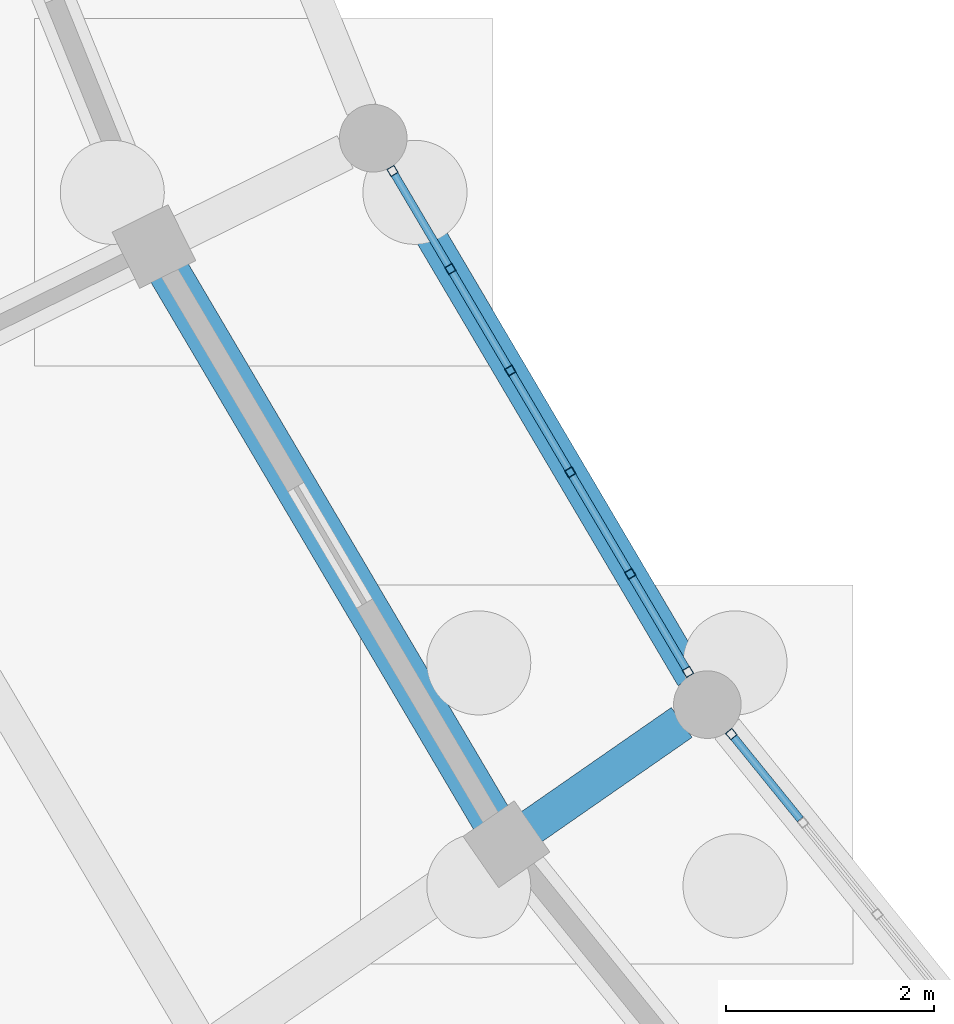
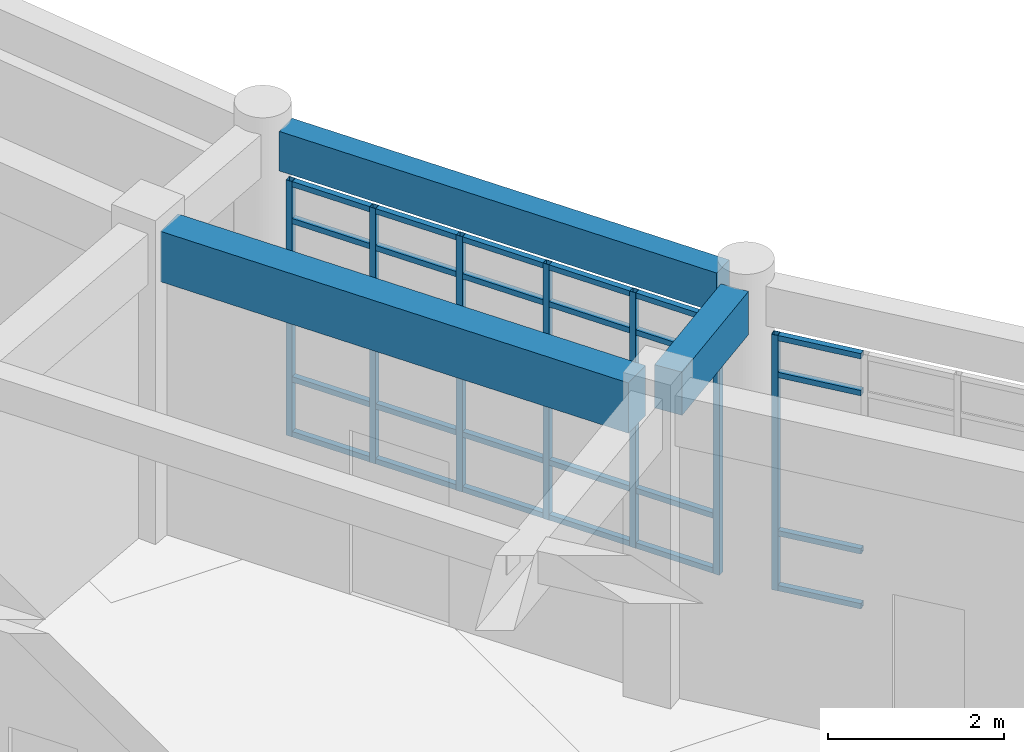
# One storey, part 32 of 153: 31 members, 3 beams, 2 elements without a shape of their own.
"""IFC4 building model written with IfcOpenShell, lengths in metres."""

from ifc_helpers import new_model, si_unit, direction, frame, origin, origin_2d, place, context, subcontext, project, spatial, rectangle, hollow_rectangle, extrude, material, material_profile, profile_set, type_object, element, aggregate, save


model = new_model("IFC4")

# Units and contexts
model_context = context("Model", 3, precision=1e-05, world=origin(), true_north=direction((0.0, 1.0)))
body_context = subcontext(model_context, "Body", "Model", "MODEL_VIEW")
ifc_project = project(units=[si_unit("LENGTHUNIT", "METRE"), si_unit("AREAUNIT", "SQUARE_METRE"), si_unit("VOLUMEUNIT", "CUBIC_METRE"), si_unit("PLANEANGLEUNIT", "RADIAN"), si_unit("MASSUNIT", "GRAM", prefix="KILO")], contexts=[model_context])

# Site, building, storey
site_placement = place(None, origin())
site = spatial("IfcSite", under=ifc_project, at=site_placement, CompositionType="ELEMENT")
building_placement = place(site_placement, origin())
building = spatial("IfcBuilding", under=site, at=building_placement, Name="Celadon Cloister-Ring School", CompositionType="ELEMENT")
storey_placement = place(building_placement, origin())
storey = spatial("IfcBuildingStorey", under=building, at=storey_placement, Name="L00", CompositionType="ELEMENT", Elevation=0.0)

# Beam
ifc_material_1 = material(Name="Concrete C35/45", Category="concrete")
ifc_material_profile_1 = material_profile(ifc_material_1, rectangle(XDim=0.35009765625, YDim=0.60009765625, at=origin_2d()), Name="RC350X600")
ifc_profile_set_1 = profile_set([ifc_material_profile_1], Name="Concrete C35/45")
beam_type_1 = type_object("IfcBeamType", Name="BT-02", PredefinedType="BEAM", material=ifc_profile_set_1)
beam_1_placement = place(storey_placement, frame((50.263916015625, 33.489990234375, 3.97998046875), z_axis=(0.821255410726, 0.570560733273, 0.0), x_axis=(-0.570560733273, 0.821255410726, 0.0)))
element("IfcBeam", 1, at=beam_1_placement, inside=storey, type_object=beam_type_1, Name="Beam 0023", PredefinedType="BEAM", context=body_context, shape_type="SweptSolid", body=[
    extrude(rectangle(XDim=0.35009765625, YDim=0.60009765625, at=origin_2d()), origin(), (0.0, 0.0, 1.0), 1.775390625),
])

# Curtain wall, members
ifc_material_2 = material(Name="Aluminium EN AW-6063 T6", Category="aluminium")
curtain_wall_type = type_object("IfcCurtainWallType", Name="CW-01", PredefinedType="USERDEFINED", material=ifc_material_2)
curtain_wall_1_placement = place(storey_placement, origin())
curtain_wall_1 = element("IfcCurtainWall", 2, at=curtain_wall_1_placement, inside=storey, type_object=curtain_wall_type, Name="Curtain Wall 0006", ObjectType="CURTAIN WALL", PredefinedType="USERDEFINED")
ifc_material_3 = material(Name="Aluminium EN AW-6063 T6", Category="aluminium")
ifc_material_profile_2 = material_profile(ifc_material_3, hollow_rectangle(XDim=0.080078125, YDim=0.080078125, WallThickness=0.00390625, at=origin_2d()), Name="RHS80X80X4")
ifc_profile_set_2 = profile_set([ifc_material_profile_2], Name="Aluminium EN AW-6063 T6")
member_type_1 = type_object("IfcMemberType", Name="CM-03", PredefinedType="MULLION", material=ifc_profile_set_2)
member_1_placement = place(storey_placement, frame((48.943359375, 39.801513671875, 0.0), z_axis=(0.0, 0.0, 1.0), x_axis=(0.861298596788, 0.508099131243, 0.0)))
member_1 = element("IfcMember", 3, at=member_1_placement, type_object=member_type_1, Name="CW-01 mullion 1", PredefinedType="MULLION", context=body_context, shape_type="SweptSolid", body=[
    extrude(hollow_rectangle(XDim=0.080078125, YDim=0.080078125, WallThickness=0.00390625, at=origin_2d()), origin(), (0.0, 0.0, 1.0), 3.550048828125),
])
member_2_placement = place(storey_placement, frame((49.4990234375, 38.859619140625, 0.0), z_axis=(0.0, 0.0, 1.0), x_axis=(0.861298596788, 0.508099131243, 0.0)))
member_2 = element("IfcMember", 4, at=member_2_placement, type_object=member_type_1, Name="CW-01 mullion 2", PredefinedType="MULLION", context=body_context, shape_type="SweptSolid", body=[
    extrude(hollow_rectangle(XDim=0.080078125, YDim=0.080078125, WallThickness=0.00390625, at=origin_2d()), origin(), (0.0, 0.0, 1.0), 3.550048828125),
])
member_3_placement = place(storey_placement, frame((50.074951171875, 37.88330078125, 0.0), z_axis=(0.0, 0.0, 1.0), x_axis=(0.861298596788, 0.508099131243, 0.0)))
member_3 = element("IfcMember", 5, at=member_3_placement, type_object=member_type_1, Name="CW-01 mullion 3", PredefinedType="MULLION", context=body_context, shape_type="SweptSolid", body=[
    extrude(hollow_rectangle(XDim=0.080078125, YDim=0.080078125, WallThickness=0.00390625, at=origin_2d()), origin(), (0.0, 0.0, 1.0), 3.550048828125),
])
member_4_placement = place(storey_placement, frame((50.65087890625, 36.90673828125, 0.0), z_axis=(0.0, 0.0, 1.0), x_axis=(0.861298596788, 0.508099131243, 0.0)))
member_4 = element("IfcMember", 6, at=member_4_placement, type_object=member_type_1, Name="CW-01 mullion 4", PredefinedType="MULLION", context=body_context, shape_type="SweptSolid", body=[
    extrude(hollow_rectangle(XDim=0.080078125, YDim=0.080078125, WallThickness=0.00390625, at=origin_2d()), origin(), (0.0, 0.0, 1.0), 3.550048828125),
])
member_5_placement = place(storey_placement, frame((51.22705078125, 35.930419921875, 0.0), z_axis=(0.0, 0.0, 1.0), x_axis=(0.861298596788, 0.508099131243, 0.0)))
member_5 = element("IfcMember", 7, at=member_5_placement, type_object=member_type_1, Name="CW-01 mullion 5", PredefinedType="MULLION", context=body_context, shape_type="SweptSolid", body=[
    extrude(hollow_rectangle(XDim=0.080078125, YDim=0.080078125, WallThickness=0.00390625, at=origin_2d()), origin(), (0.0, 0.0, 1.0), 3.550048828125),
])
member_6_placement = place(storey_placement, frame((51.78271484375, 34.988525390625, 0.0), z_axis=(0.0, 0.0, 1.0), x_axis=(0.861298596788, 0.508099131243, 0.0)))
member_6 = element("IfcMember", 8, at=member_6_placement, type_object=member_type_1, Name="CW-01 mullion 6", PredefinedType="MULLION", context=body_context, shape_type="SweptSolid", body=[
    extrude(hollow_rectangle(XDim=0.080078125, YDim=0.080078125, WallThickness=0.00390625, at=origin_2d()), origin(), (0.0, 0.0, 1.0), 3.550048828125),
])

# Curtain wall, member
curtain_wall_2_placement = place(storey_placement, origin())
curtain_wall_2 = element("IfcCurtainWall", 9, at=curtain_wall_2_placement, inside=storey, type_object=curtain_wall_type, Name="Curtain Wall 0007", ObjectType="CURTAIN WALL", PredefinedType="USERDEFINED")
member_7_placement = place(storey_placement, frame((52.1982421875, 34.390869140625, 0.0), z_axis=(0.0, 0.0, 1.0), x_axis=(0.777068192474, 0.629416415615, 0.0)))
member_7 = element("IfcMember", 10, at=member_7_placement, type_object=member_type_1, Name="CW-01 mullion 1", PredefinedType="MULLION", context=body_context, shape_type="SweptSolid", body=[
    extrude(hollow_rectangle(XDim=0.080078125, YDim=0.080078125, WallThickness=0.00390625, at=origin_2d()), origin(), (0.0, 0.0, 1.0), 3.550048828125),
])

# Member
ifc_material_4 = material(Name="Aluminium EN AW-6063 T6", Category="aluminium")
ifc_material_profile_3 = material_profile(ifc_material_4, hollow_rectangle(XDim=0.074951171875, YDim=0.074951171875, WallThickness=0.00390625, at=origin_2d()), Name="RHS75X75X4")
ifc_profile_set_3 = profile_set([ifc_material_profile_3], Name="Aluminium EN AW-6063 T6")
member_type_2 = type_object("IfcMemberType", Name="CTM-03", PredefinedType="USERDEFINED", material=ifc_profile_set_3)
member_8_placement = place(storey_placement, frame((48.963623046875, 39.76708984375, 0.03759765625), z_axis=(0.508177446212, -0.861252392253, 0.0), x_axis=(0.861252392253, 0.508177446212, 0.0)))
member_8 = element("IfcMember", 11, at=member_8_placement, type_object=member_type_2, Name="CW-01 transom 1.1", ObjectType="TRANSOM", PredefinedType="USERDEFINED", context=body_context, shape_type="SweptSolid", body=[
    extrude(hollow_rectangle(XDim=0.074951171875, YDim=0.074951171875, WallThickness=0.00390625, at=origin_2d()), origin(), (0.0, 0.0, 1.0), 1.013671875),
])

member_9_placement = place(storey_placement, frame((48.963623046875, 39.76708984375, 0.800048828125), z_axis=(0.508177446212, -0.861252392253, 0.0), x_axis=(0.861252392253, 0.508177446212, 0.0)))
member_9 = element("IfcMember", 12, at=member_9_placement, type_object=member_type_2, Name="CW-01 transom 1.2", ObjectType="TRANSOM", PredefinedType="USERDEFINED", context=body_context, shape_type="SweptSolid", body=[
    extrude(hollow_rectangle(XDim=0.074951171875, YDim=0.074951171875, WallThickness=0.00390625, at=origin_2d()), origin(), (0.0, 0.0, 1.0), 1.013671875),
])

member_10_placement = place(storey_placement, frame((48.963623046875, 39.76708984375, 3.0), z_axis=(0.508177446212, -0.861252392253, 0.0), x_axis=(0.861252392253, 0.508177446212, 0.0)))
member_10 = element("IfcMember", 13, at=member_10_placement, type_object=member_type_2, Name="CW-01 transom 1.3", ObjectType="TRANSOM", PredefinedType="USERDEFINED", context=body_context, shape_type="SweptSolid", body=[
    extrude(hollow_rectangle(XDim=0.074951171875, YDim=0.074951171875, WallThickness=0.00390625, at=origin_2d()), origin(), (0.0, 0.0, 1.0), 1.013671875),
])

member_11_placement = place(storey_placement, frame((48.963623046875, 39.76708984375, 3.512451171875), z_axis=(0.508177446212, -0.861252392253, 0.0), x_axis=(0.861252392253, 0.508177446212, 0.0)))
member_11 = element("IfcMember", 14, at=member_11_placement, type_object=member_type_2, Name="CW-01 transom 1.4", ObjectType="TRANSOM", PredefinedType="USERDEFINED", context=body_context, shape_type="SweptSolid", body=[
    extrude(hollow_rectangle(XDim=0.074951171875, YDim=0.074951171875, WallThickness=0.00390625, at=origin_2d()), origin(), (0.0, 0.0, 1.0), 1.013671875),
])

member_12_placement = place(storey_placement, frame((49.519287109375, 38.8251953125, 0.03759765625), z_axis=(0.508143705564, -0.861272299854, 0.0), x_axis=(0.861272299854, 0.508143705564, 0.0)))
member_12 = element("IfcMember", 15, at=member_12_placement, type_object=member_type_2, Name="CW-01 transom 2.1", ObjectType="TRANSOM", PredefinedType="USERDEFINED", context=body_context, shape_type="SweptSolid", body=[
    extrude(hollow_rectangle(XDim=0.074951171875, YDim=0.074951171875, WallThickness=0.00390625, at=origin_2d()), origin(), (0.0, 0.0, 1.0), 1.0537109375),
])

member_13_placement = place(storey_placement, frame((49.519287109375, 38.8251953125, 0.800048828125), z_axis=(0.508143705564, -0.861272299854, 0.0), x_axis=(0.861272299854, 0.508143705564, 0.0)))
member_13 = element("IfcMember", 16, at=member_13_placement, type_object=member_type_2, Name="CW-01 transom 2.2", ObjectType="TRANSOM", PredefinedType="USERDEFINED", context=body_context, shape_type="SweptSolid", body=[
    extrude(hollow_rectangle(XDim=0.074951171875, YDim=0.074951171875, WallThickness=0.00390625, at=origin_2d()), origin(), (0.0, 0.0, 1.0), 1.0537109375),
])

member_14_placement = place(storey_placement, frame((49.519287109375, 38.8251953125, 3.0), z_axis=(0.508143705564, -0.861272299854, 0.0), x_axis=(0.861272299854, 0.508143705564, 0.0)))
member_14 = element("IfcMember", 17, at=member_14_placement, type_object=member_type_2, Name="CW-01 transom 2.3", ObjectType="TRANSOM", PredefinedType="USERDEFINED", context=body_context, shape_type="SweptSolid", body=[
    extrude(hollow_rectangle(XDim=0.074951171875, YDim=0.074951171875, WallThickness=0.00390625, at=origin_2d()), origin(), (0.0, 0.0, 1.0), 1.0537109375),
])

member_15_placement = place(storey_placement, frame((49.519287109375, 38.8251953125, 3.512451171875), z_axis=(0.508143705564, -0.861272299854, 0.0), x_axis=(0.861272299854, 0.508143705564, 0.0)))
member_15 = element("IfcMember", 18, at=member_15_placement, type_object=member_type_2, Name="CW-01 transom 2.4", ObjectType="TRANSOM", PredefinedType="USERDEFINED", context=body_context, shape_type="SweptSolid", body=[
    extrude(hollow_rectangle(XDim=0.074951171875, YDim=0.074951171875, WallThickness=0.00390625, at=origin_2d()), origin(), (0.0, 0.0, 1.0), 1.0537109375),
])

member_16_placement = place(storey_placement, frame((50.09521484375, 37.8486328125, 0.03759765625), z_axis=(0.508143705564, -0.861272299854, 0.0), x_axis=(0.861272299854, 0.508143705564, 0.0)))
member_16 = element("IfcMember", 19, at=member_16_placement, type_object=member_type_2, Name="CW-01 transom 3.1", ObjectType="TRANSOM", PredefinedType="USERDEFINED", context=body_context, shape_type="SweptSolid", body=[
    extrude(hollow_rectangle(XDim=0.074951171875, YDim=0.074951171875, WallThickness=0.00390625, at=origin_2d()), origin(), (0.0, 0.0, 1.0), 1.0537109375),
])

member_17_placement = place(storey_placement, frame((50.09521484375, 37.8486328125, 0.800048828125), z_axis=(0.508143705564, -0.861272299854, 0.0), x_axis=(0.861272299854, 0.508143705564, 0.0)))
member_17 = element("IfcMember", 20, at=member_17_placement, type_object=member_type_2, Name="CW-01 transom 3.2", ObjectType="TRANSOM", PredefinedType="USERDEFINED", context=body_context, shape_type="SweptSolid", body=[
    extrude(hollow_rectangle(XDim=0.074951171875, YDim=0.074951171875, WallThickness=0.00390625, at=origin_2d()), origin(), (0.0, 0.0, 1.0), 1.0537109375),
])

member_18_placement = place(storey_placement, frame((50.09521484375, 37.8486328125, 3.0), z_axis=(0.508143705564, -0.861272299854, 0.0), x_axis=(0.861272299854, 0.508143705564, 0.0)))
member_18 = element("IfcMember", 21, at=member_18_placement, type_object=member_type_2, Name="CW-01 transom 3.3", ObjectType="TRANSOM", PredefinedType="USERDEFINED", context=body_context, shape_type="SweptSolid", body=[
    extrude(hollow_rectangle(XDim=0.074951171875, YDim=0.074951171875, WallThickness=0.00390625, at=origin_2d()), origin(), (0.0, 0.0, 1.0), 1.0537109375),
])

member_19_placement = place(storey_placement, frame((50.09521484375, 37.8486328125, 3.512451171875), z_axis=(0.508143705564, -0.861272299854, 0.0), x_axis=(0.861272299854, 0.508143705564, 0.0)))
member_19 = element("IfcMember", 22, at=member_19_placement, type_object=member_type_2, Name="CW-01 transom 3.4", ObjectType="TRANSOM", PredefinedType="USERDEFINED", context=body_context, shape_type="SweptSolid", body=[
    extrude(hollow_rectangle(XDim=0.074951171875, YDim=0.074951171875, WallThickness=0.00390625, at=origin_2d()), origin(), (0.0, 0.0, 1.0), 1.0537109375),
])

member_20_placement = place(storey_placement, frame((50.67138671875, 36.872314453125, 0.03759765625), z_axis=(0.508143705564, -0.861272299854, 0.0), x_axis=(0.861272299854, 0.508143705564, 0.0)))
member_20 = element("IfcMember", 23, at=member_20_placement, type_object=member_type_2, Name="CW-01 transom 4.1", ObjectType="TRANSOM", PredefinedType="USERDEFINED", context=body_context, shape_type="SweptSolid", body=[
    extrude(hollow_rectangle(XDim=0.074951171875, YDim=0.074951171875, WallThickness=0.00390625, at=origin_2d()), origin(), (0.0, 0.0, 1.0), 1.0537109375),
])

member_21_placement = place(storey_placement, frame((50.67138671875, 36.872314453125, 0.800048828125), z_axis=(0.508143705564, -0.861272299854, 0.0), x_axis=(0.861272299854, 0.508143705564, 0.0)))
member_21 = element("IfcMember", 24, at=member_21_placement, type_object=member_type_2, Name="CW-01 transom 4.2", ObjectType="TRANSOM", PredefinedType="USERDEFINED", context=body_context, shape_type="SweptSolid", body=[
    extrude(hollow_rectangle(XDim=0.074951171875, YDim=0.074951171875, WallThickness=0.00390625, at=origin_2d()), origin(), (0.0, 0.0, 1.0), 1.0537109375),
])

member_22_placement = place(storey_placement, frame((50.67138671875, 36.872314453125, 3.0), z_axis=(0.508143705564, -0.861272299854, 0.0), x_axis=(0.861272299854, 0.508143705564, 0.0)))
member_22 = element("IfcMember", 25, at=member_22_placement, type_object=member_type_2, Name="CW-01 transom 4.3", ObjectType="TRANSOM", PredefinedType="USERDEFINED", context=body_context, shape_type="SweptSolid", body=[
    extrude(hollow_rectangle(XDim=0.074951171875, YDim=0.074951171875, WallThickness=0.00390625, at=origin_2d()), origin(), (0.0, 0.0, 1.0), 1.0537109375),
])

member_23_placement = place(storey_placement, frame((50.67138671875, 36.872314453125, 3.512451171875), z_axis=(0.508143705564, -0.861272299854, 0.0), x_axis=(0.861272299854, 0.508143705564, 0.0)))
member_23 = element("IfcMember", 26, at=member_23_placement, type_object=member_type_2, Name="CW-01 transom 4.4", ObjectType="TRANSOM", PredefinedType="USERDEFINED", context=body_context, shape_type="SweptSolid", body=[
    extrude(hollow_rectangle(XDim=0.074951171875, YDim=0.074951171875, WallThickness=0.00390625, at=origin_2d()), origin(), (0.0, 0.0, 1.0), 1.0537109375),
])

member_24_placement = place(storey_placement, frame((51.247314453125, 35.89599609375, 0.03759765625), z_axis=(0.508177446212, -0.861252392253, 0.0), x_axis=(0.861252392253, 0.508177446212, 0.0)))
member_24 = element("IfcMember", 27, at=member_24_placement, type_object=member_type_2, Name="CW-01 transom 5.1", ObjectType="TRANSOM", PredefinedType="USERDEFINED", context=body_context, shape_type="SweptSolid", body=[
    extrude(hollow_rectangle(XDim=0.074951171875, YDim=0.074951171875, WallThickness=0.00390625, at=origin_2d()), origin(), (0.0, 0.0, 1.0), 1.013671875),
])

member_25_placement = place(storey_placement, frame((51.247314453125, 35.89599609375, 0.800048828125), z_axis=(0.508177446212, -0.861252392253, 0.0), x_axis=(0.861252392253, 0.508177446212, 0.0)))
member_25 = element("IfcMember", 28, at=member_25_placement, type_object=member_type_2, Name="CW-01 transom 5.2", ObjectType="TRANSOM", PredefinedType="USERDEFINED", context=body_context, shape_type="SweptSolid", body=[
    extrude(hollow_rectangle(XDim=0.074951171875, YDim=0.074951171875, WallThickness=0.00390625, at=origin_2d()), origin(), (0.0, 0.0, 1.0), 1.013671875),
])

member_26_placement = place(storey_placement, frame((51.247314453125, 35.89599609375, 3.0), z_axis=(0.508177446212, -0.861252392253, 0.0), x_axis=(0.861252392253, 0.508177446212, 0.0)))
member_26 = element("IfcMember", 29, at=member_26_placement, type_object=member_type_2, Name="CW-01 transom 5.3", ObjectType="TRANSOM", PredefinedType="USERDEFINED", context=body_context, shape_type="SweptSolid", body=[
    extrude(hollow_rectangle(XDim=0.074951171875, YDim=0.074951171875, WallThickness=0.00390625, at=origin_2d()), origin(), (0.0, 0.0, 1.0), 1.013671875),
])

member_27_placement = place(storey_placement, frame((51.247314453125, 35.89599609375, 3.512451171875), z_axis=(0.508177446212, -0.861252392253, 0.0), x_axis=(0.861252392253, 0.508177446212, 0.0)))
member_27 = element("IfcMember", 30, at=member_27_placement, type_object=member_type_2, Name="CW-01 transom 5.4", ObjectType="TRANSOM", PredefinedType="USERDEFINED", context=body_context, shape_type="SweptSolid", body=[
    extrude(hollow_rectangle(XDim=0.074951171875, YDim=0.074951171875, WallThickness=0.00390625, at=origin_2d()), origin(), (0.0, 0.0, 1.0), 1.013671875),
])

aggregate(curtain_wall_1, [member_1, member_2, member_3, member_4, member_5, member_6, member_8, member_9, member_10, member_11, member_12, member_13, member_14, member_15, member_16, member_17, member_18, member_19, member_20, member_21, member_22, member_23, member_24, member_25, member_26, member_27])

member_28_placement = place(storey_placement, frame((52.223388671875, 34.35986328125, 0.03759765625), z_axis=(0.629295216568, -0.777166346676, 0.0), x_axis=(0.777166346676, 0.629295216568, 0.0)))
member_28 = element("IfcMember", 31, at=member_28_placement, type_object=member_type_2, Name="CW-01 transom 1.1", ObjectType="TRANSOM", PredefinedType="USERDEFINED", context=body_context, shape_type="SweptSolid", body=[
    extrude(hollow_rectangle(XDim=0.074951171875, YDim=0.074951171875, WallThickness=0.00390625, at=origin_2d()), origin(), (0.0, 0.0, 1.0), 1.013671875),
])

member_29_placement = place(storey_placement, frame((52.223388671875, 34.35986328125, 0.800048828125), z_axis=(0.629295216568, -0.777166346676, 0.0), x_axis=(0.777166346676, 0.629295216568, 0.0)))
member_29 = element("IfcMember", 32, at=member_29_placement, type_object=member_type_2, Name="CW-01 transom 1.2", ObjectType="TRANSOM", PredefinedType="USERDEFINED", context=body_context, shape_type="SweptSolid", body=[
    extrude(hollow_rectangle(XDim=0.074951171875, YDim=0.074951171875, WallThickness=0.00390625, at=origin_2d()), origin(), (0.0, 0.0, 1.0), 1.013671875),
])

member_30_placement = place(storey_placement, frame((52.223388671875, 34.35986328125, 3.0), z_axis=(0.629295216568, -0.777166346676, 0.0), x_axis=(0.777166346676, 0.629295216568, 0.0)))
member_30 = element("IfcMember", 33, at=member_30_placement, type_object=member_type_2, Name="CW-01 transom 1.3", ObjectType="TRANSOM", PredefinedType="USERDEFINED", context=body_context, shape_type="SweptSolid", body=[
    extrude(hollow_rectangle(XDim=0.074951171875, YDim=0.074951171875, WallThickness=0.00390625, at=origin_2d()), origin(), (0.0, 0.0, 1.0), 1.013671875),
])

member_31_placement = place(storey_placement, frame((52.223388671875, 34.35986328125, 3.512451171875), z_axis=(0.629295216568, -0.777166346676, 0.0), x_axis=(0.777166346676, 0.629295216568, 0.0)))
member_31 = element("IfcMember", 34, at=member_31_placement, type_object=member_type_2, Name="CW-01 transom 1.4", ObjectType="TRANSOM", PredefinedType="USERDEFINED", context=body_context, shape_type="SweptSolid", body=[
    extrude(hollow_rectangle(XDim=0.074951171875, YDim=0.074951171875, WallThickness=0.00390625, at=origin_2d()), origin(), (0.0, 0.0, 1.0), 1.013671875),
])

aggregate(curtain_wall_2, [member_7, member_28, member_29, member_30, member_31])

# Beams
ifc_material_5 = material(Name="Concrete C35/45", Category="concrete")
ifc_material_profile_4 = material_profile(ifc_material_5, rectangle(XDim=0.39990234375, YDim=0.699951171875, at=origin_2d()), Name="RC400X700")
ifc_profile_set_4 = profile_set([ifc_material_profile_4], Name="Concrete C35/45")
beam_type_2 = type_object("IfcBeamType", Name="GT-03", PredefinedType="USERDEFINED", material=ifc_profile_set_4)
beam_2_placement = place(storey_placement, frame((46.791015625, 38.839111328125, 3.929931640625), z_axis=(0.507930348114, -0.861398143407, 0.0), x_axis=(0.861398143407, 0.507930348114, 0.0)))
element("IfcBeam", 35, at=beam_2_placement, inside=storey, type_object=beam_type_2, Name="Beam 0108", ObjectType="GIRDER", PredefinedType="USERDEFINED", context=body_context, shape_type="SweptSolid", body=[
    extrude(rectangle(XDim=0.39990234375, YDim=0.699951171875, at=origin_2d()), origin(), (0.0, 0.0, 1.0), 6.116943359375),
])
ifc_material_6 = material(Name="Concrete C35/45", Category="concrete")
ifc_material_profile_5 = material_profile(ifc_material_6, rectangle(XDim=0.300048828125, YDim=0.550048828125, at=origin_2d()), Name="RC300X550")
ifc_profile_set_5 = profile_set([ifc_material_profile_5], Name="Concrete C35/45")
beam_type_3 = type_object("IfcBeamType", Name="SP-02", PredefinedType="SPANDREL", material=ifc_profile_set_5)
beam_3_placement = place(storey_placement, frame((48.909912109375, 39.85791015625, 4.0048828125), z_axis=(0.508103580929, -0.861295971805, 0.0), x_axis=(0.861295971805, 0.508103580929, 0.0)))
element("IfcBeam", 36, at=beam_3_placement, inside=storey, type_object=beam_type_3, Name="Beam 0109", PredefinedType="SPANDREL", context=body_context, shape_type="SweptSolid", body=[
    extrude(rectangle(XDim=0.300048828125, YDim=0.550048828125, at=origin_2d()), origin(), (0.0, 0.0, 1.0), 5.71923828125),
])

save(model, "model.ifc")
